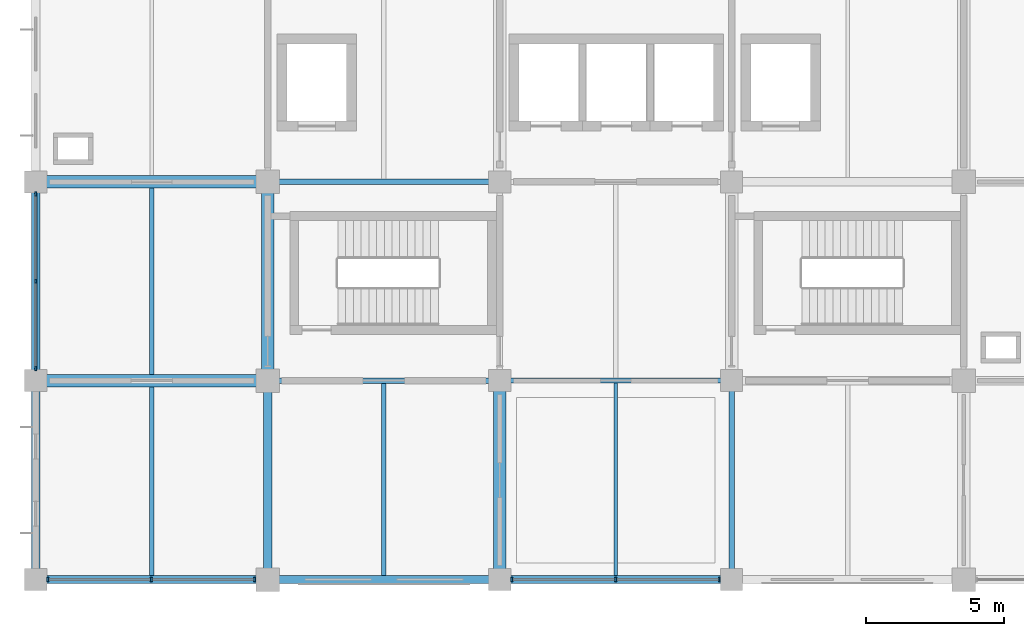
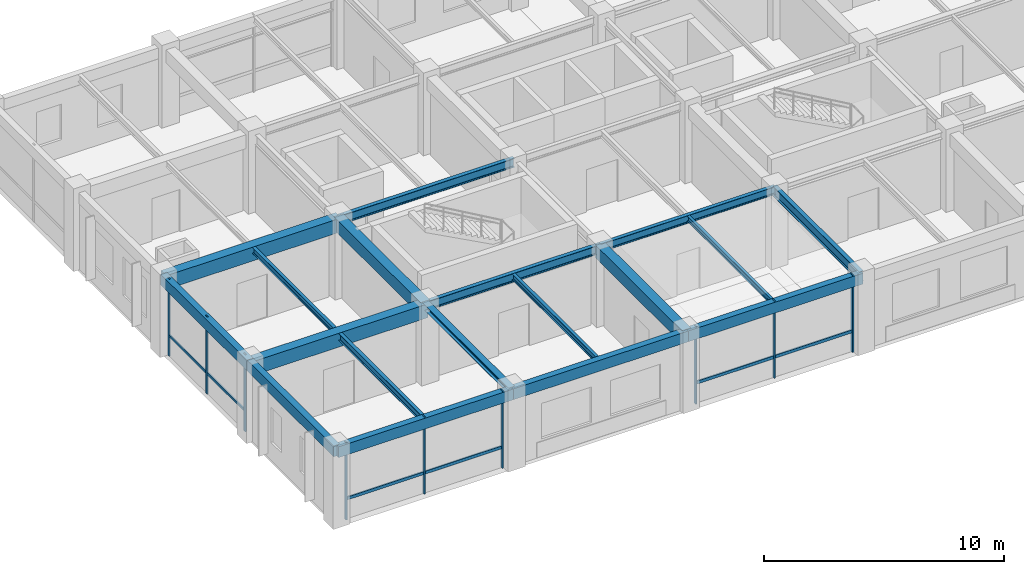
# One storey, part 2 of 13: 18 beams, 15 members, 3 elements without a shape of their own.
"""IFC4 building model written with IfcOpenShell, lengths in metres."""

import ifcopenshell
import ifcopenshell.guid

model = None  # the IFC model being written
_history = None  # IfcOwnerHistory: only IFC2X3 demands one
_inside = {}  # id of a spatial element -> (the spatial element, [elements in it])
_under = {}  # id of a project, library or spatial element -> (it, [spatial elements below it])
_declared = {}  # id of a project -> (the project, [libraries it declares])
_typed = {}  # id of a type object -> (the type object, [elements of that type])
_made_of = {}  # id of a material, layer set ... -> (it, [elements and type objects made of it])


def new_model(schema):
    """Start an empty IFC model of exactly this schema.

    Asked for "IFC4X3", IfcOpenShell would pick the latest addendum, in which some entities
    have other attributes; the version numbers below select the first issue.
    IFC2X3 requires an IfcOwnerHistory on every rooted entity: one is made here for all.
    """
    global model, _history
    if schema == "IFC4X3":
        model = ifcopenshell.file(schema_version=(4, 3, 0, 0))
    else:
        model = ifcopenshell.file(schema=schema)
    _inside.clear()
    _under.clear()
    _declared.clear()
    _typed.clear()
    _made_of.clear()
    _history = None
    if model.schema == "IFC2X3":
        org = make("IfcOrganization", Name="unknown")
        user = make(
            "IfcPersonAndOrganization",
            ThePerson=make("IfcPerson", FamilyName="unknown"),
            TheOrganization=org,
        )
        app = make(
            "IfcApplication",
            ApplicationDeveloper=org,
            Version="unknown",
            ApplicationFullName="unknown",
            ApplicationIdentifier="unknown",
        )
        _history = make(
            "IfcOwnerHistory",
            OwningUser=user,
            OwningApplication=app,
            ChangeAction="ADDED",
            CreationDate=0,
        )
    return model


def make(cls, **values):
    """One entity of the class cls with the attributes given. An attribute that is None is left unset."""
    return model.create_entity(
        cls, **{name: value for name, value in values.items() if value is not None}
    )


def rooted(cls, **values):
    """An entity with a GlobalId (a new one), such as an element, a storey or a relation."""
    return make(cls, GlobalId=ifcopenshell.guid.new(), OwnerHistory=_history, **values)


def si_unit(unit_type, name, prefix=None):
    """IfcSIUnit, for example si_unit("LENGTHUNIT", "METRE", prefix="MILLI")."""
    return make("IfcSIUnit", UnitType=unit_type, Prefix=prefix, Name=name)


def derived_unit(unit_type, elements):
    """IfcDerivedUnit: a product of units, each with its exponent."""
    return make(
        "IfcDerivedUnit",
        Elements=[
            make("IfcDerivedUnitElement", Unit=unit, Exponent=power)
            for unit, power in elements
        ],
        UnitType=unit_type,
    )


def assignment(units):
    """IfcUnitAssignment: the units of a project."""
    return None if units is None else make("IfcUnitAssignment", Units=units)


def point(xyz):
    """IfcCartesianPoint."""
    return None if xyz is None else make("IfcCartesianPoint", Coordinates=xyz)


def direction(xyz):
    """IfcDirection."""
    return None if xyz is None else make("IfcDirection", DirectionRatios=xyz)


def frame(location, z_axis=None, x_axis=None):
    """IfcAxis2Placement3D, a coordinate frame: its origin and axes. An axis left out is left unset."""
    return make(
        "IfcAxis2Placement3D",
        Location=point(location),
        Axis=direction(z_axis),
        RefDirection=direction(x_axis),
    )


def frame_2d(location, x_axis=None):
    """IfcAxis2Placement2D, a coordinate frame in the plane: its origin and x axis."""
    return make(
        "IfcAxis2Placement2D", Location=point(location), RefDirection=direction(x_axis)
    )


def origin():
    """The frame at (0, 0, 0) with its axes left unset."""
    return frame((0.0, 0.0, 0.0))


def origin_2d():
    """The frame at (0, 0) in the plane with its x axis left unset."""
    return frame_2d((0.0, 0.0))


def place(relative_to, where):
    """IfcLocalPlacement: puts the frame where relative to a parent placement (None: the world)."""
    return make(
        "IfcLocalPlacement", PlacementRelTo=relative_to, RelativePlacement=where
    )


def context(
    kind, dimensions, precision=None, world=None, true_north=None, identifier=None
):
    """IfcGeometricRepresentationContext, for example the 3D "Model" context."""
    return make(
        "IfcGeometricRepresentationContext",
        ContextIdentifier=identifier,
        ContextType=kind,
        CoordinateSpaceDimension=dimensions,
        Precision=precision,
        WorldCoordinateSystem=world,
        TrueNorth=true_north,
    )


def subcontext(parent, identifier, kind, view, scale=None):
    """IfcGeometricRepresentationSubContext, for example "Body" below "Model"."""
    return make(
        "IfcGeometricRepresentationSubContext",
        ContextIdentifier=identifier,
        ContextType=kind,
        ParentContext=parent,
        TargetScale=scale,
        TargetView=view,
    )


def project(units=None, contexts=None):
    """IfcProject with its units and contexts."""
    return rooted(
        "IfcProject",
        Name="project",
        RepresentationContexts=contexts,
        UnitsInContext=assignment(units),
    )


def spatial(cls, under=None, at=None, **own):
    """A site, building, storey or space (cls), placed at a placement, below another one or the project."""
    s = rooted(cls, ObjectPlacement=at, **own)
    if under is not None:
        _under.setdefault(under.id(), (under, []))[1].append(s)
    return s


def profile(cls, at=None, kind="AREA", **sizes):
    """A parametric profile (cls). Its sizes go by their IFC names, for example OverallWidth=200.0."""
    return make(cls, ProfileType=kind, Position=at, **sizes)


def rectangle(**sizes):
    """IfcRectangleProfileDef."""
    return profile("IfcRectangleProfileDef", **sizes)


def i_section(**sizes):
    """IfcIShapeProfileDef."""
    return profile("IfcIShapeProfileDef", **sizes)


def extrude(swept, where, along, depth):
    """IfcExtrudedAreaSolid: the profile swept, set in the frame where, extruded along a direction by depth."""
    return make(
        "IfcExtrudedAreaSolid",
        SweptArea=swept,
        Position=where,
        ExtrudedDirection=direction(along),
        Depth=depth,
    )


def shape(context_of_items, identifier, shape_type, items):
    """IfcShapeRepresentation: the items that make up one representation, for example the "Body"."""
    return make(
        "IfcShapeRepresentation",
        ContextOfItems=context_of_items,
        RepresentationIdentifier=identifier,
        RepresentationType=shape_type,
        Items=items,
    )


def material(Name=None, Category=None):
    """IfcMaterial."""
    return make("IfcMaterial", Name=Name, Category=Category)


def material_profile(
    of_material, cross_section, Name=None, Category=None, Priority=None
):
    """IfcMaterialProfile: a cross section and its material."""
    return make(
        "IfcMaterialProfile",
        Name=Name,
        Material=of_material,
        Profile=cross_section,
        Priority=Priority,
        Category=Category,
    )


def profile_set(profiles, Name=None, composite=None):
    """IfcMaterialProfileSet."""
    return make(
        "IfcMaterialProfileSet",
        Name=Name,
        MaterialProfiles=profiles,
        CompositeProfile=composite,
    )


def made_of(thing, what):
    """Note that an element or type object is made of a material, layer set ...; save() writes the relation."""
    if what is not None:
        _made_of.setdefault(what.id(), (what, []))[1].append(thing)
    return thing


def type_object(cls, material=None, **own):
    """A type object (cls), such as IfcWallType, which elements share."""
    return made_of(rooted(cls, **own), material)


def element(
    cls,
    number,
    at=None,
    inside=None,
    cuts=None,
    type_object=None,
    material=None,
    context=None,
    identifier="Body",
    shape_type=None,
    held_by="IfcProductDefinitionShape",
    body=None,
    shapes=None,
    **own,
):
    """One element of the class cls, such as IfcWall. Its Tag is "e" and its number.

    at: its placement. inside: the storey or other place that contains it. cuts: it is an
    opening in that element (IfcRelVoidsElement). A single representation is given by context,
    identifier, shape_type and body (its items); several are given by shapes. held_by: the class
    of the entity that holds the representations. save() writes the other relations.
    """
    e = rooted(cls, Tag="e%d" % number, ObjectPlacement=at, **own)
    if body is not None:
        shapes = [shape(context, identifier, shape_type, body)]
    if shapes is not None:
        e.Representation = make(held_by, Representations=shapes)
    if inside is not None:
        _inside.setdefault(inside.id(), (inside, []))[1].append(e)
    if cuts is not None:
        rooted(
            "IfcRelVoidsElement", RelatingBuildingElement=cuts, RelatedOpeningElement=e
        )
    if type_object is not None:
        _typed.setdefault(type_object.id(), (type_object, []))[1].append(e)
    return made_of(e, material)


def aggregate(whole, parts):
    """IfcRelAggregates: a whole, such as a stair, and the parts it consists of."""
    return rooted("IfcRelAggregates", RelatingObject=whole, RelatedObjects=parts)


def save(model, path):
    """Write the relations noted so far, then the file.

    IfcRelAggregates (storeys below a building ...), IfcRelContainedInSpatialStructure (elements
    in a storey), IfcRelDefinesByType, IfcRelAssociatesMaterial and IfcRelDeclares: one each for
    every whole, place, type object, material and project.
    """
    for whole, parts in _under.values():
        aggregate(whole, parts)
    for where, things in _inside.values():
        rooted(
            "IfcRelContainedInSpatialStructure",
            RelatedElements=things,
            RelatingStructure=where,
        )
    for kind, things in _typed.values():
        rooted("IfcRelDefinesByType", RelatedObjects=things, RelatingType=kind)
    for what, things in _made_of.values():
        rooted("IfcRelAssociatesMaterial", RelatedObjects=things, RelatingMaterial=what)
    for by, libraries in _declared.values():
        rooted("IfcRelDeclares", RelatingContext=by, RelatedDefinitions=libraries)
    model.write(path)


model = new_model("IFC4")

# Units and contexts
model_context = context("Model", 3, precision=1e-05, world=origin(), true_north=direction((0.0, 1.0)))
body_context = subcontext(model_context, "Body", "Model", "MODEL_VIEW")
ifc_project = project(units=[si_unit("LENGTHUNIT", "METRE"), si_unit("AREAUNIT", "SQUARE_METRE"), si_unit("VOLUMEUNIT", "CUBIC_METRE"), si_unit("PLANEANGLEUNIT", "RADIAN"), si_unit("MASSUNIT", "GRAM", prefix="KILO"), derived_unit("THERMALTRANSMITTANCEUNIT", [(si_unit("MASSUNIT", "GRAM", prefix="KILO"), 1), (si_unit("TIMEUNIT", "SECOND"), -3), (si_unit("THERMODYNAMICTEMPERATUREUNIT", "KELVIN"), -1)])], contexts=[model_context])

# Site, building, storey
site_placement = place(None, origin())
site = spatial("IfcSite", under=ifc_project, at=site_placement, CompositionType="ELEMENT")
building_placement = place(site_placement, origin())
building = spatial("IfcBuilding", under=site, at=building_placement, Name="Veldstrom Oceanarium and Marine Research Institute", CompositionType="ELEMENT")
storey_placement = place(building_placement, frame((0.0, 0.0, 27.0)))
storey = spatial("IfcBuildingStorey", under=building, at=storey_placement, Name="L05", CompositionType="ELEMENT", Elevation=27.0)

# Curtain wall, members
ifc_material_1 = material(Name="Anodised Aluminium Framing", Category="aluminium")
curtain_wall_type_1 = type_object("IfcCurtainWallType", Name="ARC-CW-CW04", PredefinedType="USERDEFINED", material=ifc_material_1)
curtain_wall_1_placement = place(storey_placement, origin())
curtain_wall_1 = element("IfcCurtainWall", 1, at=curtain_wall_1_placement, inside=storey, type_object=curtain_wall_type_1, Name="Curtain Wall CW04 CW-L05-090", ObjectType="Curtain wall", PredefinedType="USERDEFINED")
ifc_material_2 = material(Name="Anodised Aluminium Framing", Category="aluminium")
ifc_material_profile_1 = material_profile(ifc_material_2, rectangle(XDim=0.06494140625, YDim=0.14990234375, at=origin_2d()), Name="ALU-MUL-65x150")
ifc_profile_set_1 = profile_set([ifc_material_profile_1], Name="Anodised Aluminium Framing")
member_type_1 = type_object("IfcMemberType", Name="ARC-MUL-ML2", PredefinedType="MULLION", material=ifc_profile_set_1)
member_1_placement = place(storey_placement, frame((67.639892578125, 43.199951171875, 0.0), z_axis=(0.0, 0.0, 1.0), x_axis=(1.0, 0.0, 0.0)))
member_1 = element("IfcMember", 2, at=member_1_placement, type_object=member_type_1, Name="Curtain Wall Mullion CW-L05-090-MUL-1", PredefinedType="MULLION", context=body_context, shape_type="SweptSolid", body=[
    extrude(rectangle(XDim=0.06494140625, YDim=0.14990234375, at=origin_2d()), origin(), (0.0, 0.0, 1.0), 3.919921875),
])
member_2_placement = place(storey_placement, frame((71.387451171875, 43.199951171875, 0.0), z_axis=(0.0, 0.0, 1.0), x_axis=(1.0, 0.0, 0.0)))
member_2 = element("IfcMember", 3, at=member_2_placement, type_object=member_type_1, Name="Curtain Wall Mullion CW-L05-090-MUL-2", PredefinedType="MULLION", context=body_context, shape_type="SweptSolid", body=[
    extrude(rectangle(XDim=0.06494140625, YDim=0.14990234375, at=origin_2d()), origin(), (0.0, 0.0, 1.0), 3.919921875),
])
member_3_placement = place(storey_placement, frame((75.135009765625, 43.199951171875, 0.0), z_axis=(0.0, 0.0, 1.0), x_axis=(1.0, 0.0, 0.0)))
member_3 = element("IfcMember", 4, at=member_3_placement, type_object=member_type_1, Name="Curtain Wall Mullion CW-L05-090-MUL-3", PredefinedType="MULLION", context=body_context, shape_type="SweptSolid", body=[
    extrude(rectangle(XDim=0.06494140625, YDim=0.14990234375, at=origin_2d()), origin(), (0.0, 0.0, 1.0), 3.919921875),
])

ifc_material_3 = material(Name="Anodised Aluminium Framing", Category="aluminium")
curtain_wall_type_2 = type_object("IfcCurtainWallType", Name="ARC-CW-CW08", PredefinedType="USERDEFINED", material=ifc_material_3)
curtain_wall_2_placement = place(storey_placement, origin())
curtain_wall_2 = element("IfcCurtainWall", 5, at=curtain_wall_2_placement, inside=storey, type_object=curtain_wall_type_2, Name="Curtain Wall CW08 CW-L05-091", ObjectType="Curtain wall", PredefinedType="USERDEFINED")
member_4_placement = place(storey_placement, frame((67.199951171875, 50.840087890625, 0.0), z_axis=(0.0, 0.0, 1.0), x_axis=(1.0, 0.0, 0.0)))
member_4 = element("IfcMember", 6, at=member_4_placement, type_object=member_type_1, Name="Curtain Wall Mullion CW-L05-091-MUL-1", PredefinedType="MULLION", context=body_context, shape_type="SweptSolid", body=[
    extrude(rectangle(XDim=0.06494140625, YDim=0.14990234375, at=origin_2d()), origin(), (0.0, 0.0, 1.0), 3.919921875),
])
member_5_placement = place(storey_placement, frame((67.199951171875, 54.0, 0.0), z_axis=(0.0, 0.0, 1.0), x_axis=(1.0, 0.0, 0.0)))
member_5 = element("IfcMember", 7, at=member_5_placement, type_object=member_type_1, Name="Curtain Wall Mullion CW-L05-091-MUL-2", PredefinedType="MULLION", context=body_context, shape_type="SweptSolid", body=[
    extrude(rectangle(XDim=0.06494140625, YDim=0.14990234375, at=origin_2d()), origin(), (0.0, 0.0, 1.0), 3.919921875),
])
member_6_placement = place(storey_placement, frame((67.199951171875, 57.159912109375, 0.0), z_axis=(0.0, 0.0, 1.0), x_axis=(1.0, 0.0, 0.0)))
member_6 = element("IfcMember", 8, at=member_6_placement, type_object=member_type_1, Name="Curtain Wall Mullion CW-L05-091-MUL-3", PredefinedType="MULLION", context=body_context, shape_type="SweptSolid", body=[
    extrude(rectangle(XDim=0.06494140625, YDim=0.14990234375, at=origin_2d()), origin(), (0.0, 0.0, 1.0), 3.919921875),
])

curtain_wall_3_placement = place(storey_placement, origin())
curtain_wall_3 = element("IfcCurtainWall", 9, at=curtain_wall_3_placement, inside=storey, type_object=curtain_wall_type_1, Name="Curtain Wall CW04 CW-L05-094", ObjectType="Curtain wall", PredefinedType="USERDEFINED")
member_7_placement = place(storey_placement, frame((84.43994140625, 43.199951171875, 0.0), z_axis=(0.0, 0.0, 1.0), x_axis=(1.0, 0.0, 0.0)))
member_7 = element("IfcMember", 10, at=member_7_placement, type_object=member_type_1, Name="Curtain Wall Mullion CW-L05-094-MUL-1", PredefinedType="MULLION", context=body_context, shape_type="SweptSolid", body=[
    extrude(rectangle(XDim=0.06494140625, YDim=0.14990234375, at=origin_2d()), origin(), (0.0, 0.0, 1.0), 3.919921875),
])
member_8_placement = place(storey_placement, frame((88.199951171875, 43.199951171875, 0.0), z_axis=(0.0, 0.0, 1.0), x_axis=(1.0, 0.0, 0.0)))
member_8 = element("IfcMember", 11, at=member_8_placement, type_object=member_type_1, Name="Curtain Wall Mullion CW-L05-094-MUL-2", PredefinedType="MULLION", context=body_context, shape_type="SweptSolid", body=[
    extrude(rectangle(XDim=0.06494140625, YDim=0.14990234375, at=origin_2d()), origin(), (0.0, 0.0, 1.0), 3.919921875),
])
member_9_placement = place(storey_placement, frame((91.9599609375, 43.199951171875, 0.0), z_axis=(0.0, 0.0, 1.0), x_axis=(1.0, 0.0, 0.0)))
member_9 = element("IfcMember", 12, at=member_9_placement, type_object=member_type_1, Name="Curtain Wall Mullion CW-L05-094-MUL-3", PredefinedType="MULLION", context=body_context, shape_type="SweptSolid", body=[
    extrude(rectangle(XDim=0.06494140625, YDim=0.14990234375, at=origin_2d()), origin(), (0.0, 0.0, 1.0), 3.919921875),
])

# Member
ifc_material_4 = material(Name="Anodised Aluminium Framing", Category="aluminium")
ifc_material_profile_2 = material_profile(ifc_material_4, rectangle(XDim=0.074951171875, YDim=0.14990234375, at=origin_2d()), Name="ALU-TRN-75x150")
ifc_profile_set_2 = profile_set([ifc_material_profile_2], Name="Anodised Aluminium Framing")
member_type_2 = type_object("IfcMemberType", Name="ARC-TRN-TR1", PredefinedType="USERDEFINED", material=ifc_profile_set_2)
member_10_placement = place(storey_placement, frame((67.679931640625, 43.199951171875, 1.050048828125), z_axis=(1.0, 0.0, 0.0), x_axis=(0.0, 1.0, 0.0)))
member_10 = element("IfcMember", 13, at=member_10_placement, type_object=member_type_2, Name="Curtain Wall Transom CW-L05-090-TRN-1", ObjectType="Transom", PredefinedType="USERDEFINED", context=body_context, shape_type="SweptSolid", body=[
    extrude(rectangle(XDim=0.074951171875, YDim=0.14990234375, at=origin_2d()), origin(), (0.0, 0.0, 1.0), 3.66748046875),
])

member_11_placement = place(storey_placement, frame((71.427490234375, 43.199951171875, 1.050048828125), z_axis=(1.0, 0.0, 0.0), x_axis=(0.0, 1.0, 0.0)))
member_11 = element("IfcMember", 14, at=member_11_placement, type_object=member_type_2, Name="Curtain Wall Transom CW-L05-090-TRN-2", ObjectType="Transom", PredefinedType="USERDEFINED", context=body_context, shape_type="SweptSolid", body=[
    extrude(rectangle(XDim=0.074951171875, YDim=0.14990234375, at=origin_2d()), origin(), (0.0, 0.0, 1.0), 3.66748046875),
])

aggregate(curtain_wall_1, [member_1, member_2, member_3, member_10, member_11])

member_12_placement = place(storey_placement, frame((84.47998046875, 43.199951171875, 1.050048828125), z_axis=(1.0, 0.0, 0.0), x_axis=(0.0, 1.0, 0.0)))
member_12 = element("IfcMember", 15, at=member_12_placement, type_object=member_type_2, Name="Curtain Wall Transom CW-L05-094-TRN-1", ObjectType="Transom", PredefinedType="USERDEFINED", context=body_context, shape_type="SweptSolid", body=[
    extrude(rectangle(XDim=0.074951171875, YDim=0.14990234375, at=origin_2d()), origin(), (0.0, 0.0, 1.0), 3.679931640625),
])

member_13_placement = place(storey_placement, frame((88.239990234375, 43.199951171875, 1.050048828125), z_axis=(1.0, 0.0, 0.0), x_axis=(0.0, 1.0, 0.0)))
member_13 = element("IfcMember", 16, at=member_13_placement, type_object=member_type_2, Name="Curtain Wall Transom CW-L05-094-TRN-2", ObjectType="Transom", PredefinedType="USERDEFINED", context=body_context, shape_type="SweptSolid", body=[
    extrude(rectangle(XDim=0.074951171875, YDim=0.14990234375, at=origin_2d()), origin(), (0.0, 0.0, 1.0), 3.679931640625),
])

aggregate(curtain_wall_3, [member_7, member_8, member_9, member_12, member_13])

ifc_material_5 = material(Name="Anodised Aluminium Framing", Category="aluminium")
ifc_material_profile_3 = material_profile(ifc_material_5, rectangle(XDim=0.06494140625, YDim=0.1201171875, at=origin_2d()), Name="ALU-TRN-65x120")
ifc_profile_set_3 = profile_set([ifc_material_profile_3], Name="Anodised Aluminium Framing")
member_type_3 = type_object("IfcMemberType", Name="ARC-TRN-TR2", PredefinedType="USERDEFINED", material=ifc_profile_set_3)
member_14_placement = place(storey_placement, frame((67.199951171875, 50.8798828125, 1.050048828125), z_axis=(0.0, 1.0, 0.0), x_axis=(-1.0, 0.0, 0.0)))
member_14 = element("IfcMember", 17, at=member_14_placement, type_object=member_type_3, Name="Curtain Wall Transom CW-L05-091-TRN-1", ObjectType="Transom", PredefinedType="USERDEFINED", context=body_context, shape_type="SweptSolid", body=[
    extrude(rectangle(XDim=0.06494140625, YDim=0.1201171875, at=origin_2d()), origin(), (0.0, 0.0, 1.0), 3.080078125),
])

member_15_placement = place(storey_placement, frame((67.199951171875, 54.0400390625, 1.050048828125), z_axis=(0.0, 1.0, 0.0), x_axis=(-1.0, 0.0, 0.0)))
member_15 = element("IfcMember", 18, at=member_15_placement, type_object=member_type_3, Name="Curtain Wall Transom CW-L05-091-TRN-2", ObjectType="Transom", PredefinedType="USERDEFINED", context=body_context, shape_type="SweptSolid", body=[
    extrude(rectangle(XDim=0.06494140625, YDim=0.1201171875, at=origin_2d()), origin(), (0.0, 0.0, 1.0), 3.080078125),
])

aggregate(curtain_wall_2, [member_4, member_5, member_6, member_14, member_15])

# Beams
ifc_material_6 = material(Name="Concrete C40/50", Category="concrete")
ifc_material_profile_4 = material_profile(ifc_material_6, rectangle(XDim=0.449951171875, YDim=0.699951171875, at=origin_2d()), Name="RC-BM-450x700")
ifc_profile_set_4 = profile_set([ifc_material_profile_4], Name="Concrete C40/50")
beam_type_1 = type_object("IfcBeamType", Name="STR-BM-B04", PredefinedType="BEAM", material=ifc_profile_set_4)
for number, where, z_axis, x_axis, name in (
    (19, (67.199951171875, 50.39990234375, 3.56494140625), (1.0, 0.0, 0.0), (0.0, 1.0, 0.0), "Primary Beam B04 L05-2175"),
    (20, (67.199951171875, 57.60009765625, 3.56494140625), (1.0, 0.0, 0.0), (0.0, 1.0, 0.0), "Primary Beam B04 L05-2176"),
):
    element("IfcBeam", number, at=place(storey_placement, frame(where, z_axis=z_axis, x_axis=x_axis)), inside=storey, type_object=beam_type_1, Name=name, PredefinedType="BEAM", context=body_context, shape_type="SweptSolid", body=[
        extrude(rectangle(XDim=0.449951171875, YDim=0.699951171875, at=origin_2d()), origin(), (0.0, 0.0, 1.0), 8.400146484375),
    ])
ifc_material_7 = material(Name="Concrete C40/50", Category="concrete")
ifc_material_profile_5 = material_profile(ifc_material_7, rectangle(XDim=0.449951171875, YDim=0.64990234375, at=origin_2d()), Name="RC-BM-450x650")
ifc_profile_set_5 = profile_set([ifc_material_profile_5], Name="Concrete C40/50")
beam_type_2 = type_object("IfcBeamType", Name="STR-BM-B05", PredefinedType="BEAM", material=ifc_profile_set_5)
beam_1_placement = place(storey_placement, frame((75.60009765625, 50.39990234375, 3.590087890625), z_axis=(0.0, 1.0, 0.0), x_axis=(-1.0, 0.0, 0.0)))
element("IfcBeam", 21, at=beam_1_placement, inside=storey, type_object=beam_type_2, Name="Primary Beam B05 L05-2209", PredefinedType="BEAM", context=body_context, shape_type="SweptSolid", body=[
    extrude(rectangle(XDim=0.449951171875, YDim=0.64990234375, at=origin_2d()), origin(), (0.0, 0.0, 1.0), 7.2001953125),
])
beam_2_placement = place(storey_placement, frame((84.0, 43.199951171875, 3.590087890625), z_axis=(0.0, 1.0, 0.0), x_axis=(-1.0, 0.0, 0.0)))
element("IfcBeam", 22, at=beam_2_placement, inside=storey, type_object=beam_type_2, Name="Primary Beam B05 L05-2212", PredefinedType="BEAM", context=body_context, shape_type="SweptSolid", body=[
    extrude(rectangle(XDim=0.449951171875, YDim=0.64990234375, at=origin_2d()), origin(), (0.0, 0.0, 1.0), 7.199951171875),
])
ifc_material_8 = material(Name="Steel S355JR", Category="steel")
ifc_material_profile_6 = material_profile(ifc_material_8, i_section(OverallWidth=0.300048828125, OverallDepth=0.2900390625, WebThickness=0.008544921875, FlangeThickness=0.013916015625, FilletRadius=0.027099609375, at=origin_2d()), Name="HEA 300")
ifc_profile_set_6 = profile_set([ifc_material_profile_6], Name="Steel S355JR")
beam_type_3 = type_object("IfcBeamType", Name="STR-BM-SB10", PredefinedType="BEAM", material=ifc_profile_set_6)
beam_3_placement = place(storey_placement, frame((75.60009765625, 43.199951171875, 3.77001953125), z_axis=(0.0, 1.0, 0.0), x_axis=(-1.0, 0.0, 0.0)))
element("IfcBeam", 23, at=beam_3_placement, inside=storey, type_object=beam_type_3, Name="Steel Tie Beam SB10 L05-2208", PredefinedType="BEAM", context=body_context, shape_type="SweptSolid", body=[
    extrude(i_section(OverallWidth=0.300048828125, OverallDepth=0.2900390625, WebThickness=0.008544921875, FlangeThickness=0.013916015625, FilletRadius=0.027099609375, at=origin_2d()), origin(), (0.0, 0.0, 1.0), 7.199951171875),
])
ifc_material_9 = material(Name="Steel S355JR", Category="steel")
ifc_material_profile_7 = material_profile(ifc_material_9, i_section(OverallWidth=0.199951171875, OverallDepth=0.5, WebThickness=0.01025390625, FlangeThickness=0.01611328125, FilletRadius=0.02099609375, at=origin_2d()), Name="IPE 500")
ifc_profile_set_7 = profile_set([ifc_material_profile_7], Name="Steel S355JR")
beam_type_4 = type_object("IfcBeamType", Name="STR-BM-SB6", PredefinedType="BEAM", material=ifc_profile_set_7)
beam_4_placement = place(storey_placement, frame((92.39990234375, 43.199951171875, 3.6650390625), z_axis=(0.0, 1.0, 0.0), x_axis=(-1.0, 0.0, 0.0)))
element("IfcBeam", 24, at=beam_4_placement, inside=storey, type_object=beam_type_4, Name="Steel Tie Beam SB6 L05-2216", PredefinedType="BEAM", context=body_context, shape_type="SweptSolid", body=[
    extrude(i_section(OverallWidth=0.199951171875, OverallDepth=0.5, WebThickness=0.01025390625, FlangeThickness=0.01611328125, FilletRadius=0.02099609375, at=origin_2d()), origin(), (0.0, 0.0, 1.0), 7.199951171875),
])
ifc_material_10 = material(Name="Steel S355JR", Category="steel")
ifc_material_profile_8 = material_profile(ifc_material_10, i_section(OverallWidth=0.18994140625, OverallDepth=0.449951171875, WebThickness=0.009521484375, FlangeThickness=0.0146484375, FilletRadius=0.02099609375, at=origin_2d()), Name="IPE 450")
ifc_profile_set_8 = profile_set([ifc_material_profile_8], Name="Steel S355JR")
beam_type_5 = type_object("IfcBeamType", Name="STR-BM-SB7", PredefinedType="BEAM", material=ifc_profile_set_8)
for number, where, z_axis, x_axis, name in (
    (25, (75.60009765625, 50.39990234375, 3.68994140625), (1.0, 0.0, 0.0), (0.0, 1.0, 0.0), "Steel Floor Girder SB7 L05-2180"),
    (26, (75.60009765625, 57.60009765625, 3.68994140625), (1.0, 0.0, 0.0), (0.0, 1.0, 0.0), "Steel Floor Girder SB7 L05-2181"),
):
    element("IfcBeam", number, at=place(storey_placement, frame(where, z_axis=z_axis, x_axis=x_axis)), inside=storey, type_object=beam_type_5, Name=name, PredefinedType="BEAM", context=body_context, shape_type="SweptSolid", body=[
        extrude(i_section(OverallWidth=0.18994140625, OverallDepth=0.449951171875, WebThickness=0.009521484375, FlangeThickness=0.0146484375, FilletRadius=0.02099609375, at=origin_2d()), origin(), (0.0, 0.0, 1.0), 8.39990234375),
    ])
ifc_material_11 = material(Name="Steel S355JR", Category="steel")
ifc_material_profile_9 = material_profile(ifc_material_11, i_section(OverallWidth=0.179931640625, OverallDepth=0.39990234375, WebThickness=0.008544921875, FlangeThickness=0.013427734375, FilletRadius=0.02099609375, at=origin_2d()), Name="IPE 400")
ifc_profile_set_9 = profile_set([ifc_material_profile_9], Name="Steel S355JR")
beam_type_6 = type_object("IfcBeamType", Name="STR-BM-SB8", PredefinedType="BEAM", material=ifc_profile_set_9)
beam_5_placement = place(storey_placement, frame((84.0, 50.39990234375, 3.715087890625), z_axis=(1.0, 0.0, 0.0), x_axis=(0.0, 1.0, 0.0)))
element("IfcBeam", 27, at=beam_5_placement, inside=storey, type_object=beam_type_6, Name="Steel Floor Girder SB8 L05-2185", PredefinedType="BEAM", context=body_context, shape_type="SweptSolid", body=[
    extrude(i_section(OverallWidth=0.179931640625, OverallDepth=0.39990234375, WebThickness=0.008544921875, FlangeThickness=0.013427734375, FilletRadius=0.02099609375, at=origin_2d()), origin(), (0.0, 0.0, 1.0), 8.39990234375),
])
ifc_material_12 = material(Name="Steel S355JR", Category="steel")
ifc_material_profile_10 = material_profile(ifc_material_12, i_section(OverallWidth=0.169921875, OverallDepth=0.360107421875, WebThickness=0.008056640625, FlangeThickness=0.0126953125, FilletRadius=0.01806640625, at=origin_2d()), Name="IPE 360")
ifc_profile_set_10 = profile_set([ifc_material_profile_10], Name="Steel S355JR")
beam_type_7 = type_object("IfcBeamType", Name="STR-JST-SJ1", PredefinedType="JOIST", material=ifc_profile_set_10)
beam_6_placement = place(storey_placement, frame((71.39990234375, 43.35009765625, 3.735107421875), z_axis=(0.0, 1.0, 0.0), x_axis=(-1.0, 0.0, 0.0)))
element("IfcBeam", 28, at=beam_6_placement, inside=storey, type_object=beam_type_7, Name="Secondary Joist SJ1 L05-2232", PredefinedType="JOIST", context=body_context, shape_type="SweptSolid", body=[
    extrude(i_section(OverallWidth=0.169921875, OverallDepth=0.360107421875, WebThickness=0.008056640625, FlangeThickness=0.0126953125, FilletRadius=0.01806640625, at=origin_2d()), origin(), (0.0, 0.0, 1.0), 6.824951171875),
])
ifc_material_13 = material(Name="Steel S355JR", Category="steel")
ifc_material_profile_11 = material_profile(ifc_material_13, i_section(OverallWidth=0.14990234375, OverallDepth=0.300048828125, WebThickness=0.007080078125, FlangeThickness=0.0107421875, FilletRadius=0.014892578125, at=origin_2d()), Name="IPE 300")
ifc_profile_set_11 = profile_set([ifc_material_profile_11], Name="Steel S355JR")
beam_type_8 = type_object("IfcBeamType", Name="STR-JST-SJ2", PredefinedType="JOIST", material=ifc_profile_set_11)
beam_7_placement = place(storey_placement, frame((71.39990234375, 50.625, 3.764892578125), z_axis=(0.0, 1.0, 0.0), x_axis=(-1.0, 0.0, 0.0)))
element("IfcBeam", 29, at=beam_7_placement, inside=storey, type_object=beam_type_8, Name="Secondary Joist SJ2 L05-2233", PredefinedType="JOIST", context=body_context, shape_type="SweptSolid", body=[
    extrude(i_section(OverallWidth=0.14990234375, OverallDepth=0.300048828125, WebThickness=0.007080078125, FlangeThickness=0.0107421875, FilletRadius=0.014892578125, at=origin_2d()), origin(), (0.0, 0.0, 1.0), 6.75),
])
beam_8_placement = place(storey_placement, frame((79.800048828125, 43.35009765625, 3.764892578125), z_axis=(0.0, 1.0, 0.0), x_axis=(-1.0, 0.0, 0.0)))
element("IfcBeam", 30, at=beam_8_placement, inside=storey, type_object=beam_type_8, Name="Secondary Joist SJ2 L05-2236", PredefinedType="JOIST", context=body_context, shape_type="SweptSolid", body=[
    extrude(i_section(OverallWidth=0.14990234375, OverallDepth=0.300048828125, WebThickness=0.007080078125, FlangeThickness=0.0107421875, FilletRadius=0.014892578125, at=origin_2d()), origin(), (0.0, 0.0, 1.0), 6.954833984375),
])
ifc_material_14 = material(Name="Steel S355JR", Category="steel")
ifc_material_profile_12 = material_profile(ifc_material_14, i_section(OverallWidth=0.135009765625, OverallDepth=0.27001953125, WebThickness=0.006591796875, FlangeThickness=0.01025390625, FilletRadius=0.014892578125, at=origin_2d()), Name="IPE 270")
ifc_profile_set_12 = profile_set([ifc_material_profile_12], Name="Steel S355JR")
beam_type_9 = type_object("IfcBeamType", Name="STR-JST-SJ3", PredefinedType="JOIST", material=ifc_profile_set_12)
beam_9_placement = place(storey_placement, frame((88.199951171875, 43.35009765625, 3.780029296875), z_axis=(0.0, 1.0, 0.0), x_axis=(-1.0, 0.0, 0.0)))
element("IfcBeam", 31, at=beam_9_placement, inside=storey, type_object=beam_type_9, Name="Secondary Joist SJ3 L05-2239", PredefinedType="JOIST", context=body_context, shape_type="SweptSolid", body=[
    extrude(i_section(OverallWidth=0.135009765625, OverallDepth=0.27001953125, WebThickness=0.006591796875, FlangeThickness=0.01025390625, FilletRadius=0.014892578125, at=origin_2d()), origin(), (0.0, 0.0, 1.0), 6.9599609375),
])
ifc_material_15 = material(Name="Concrete C40/50", Category="concrete")
ifc_material_profile_13 = material_profile(ifc_material_15, rectangle(XDim=0.300048828125, YDim=0.550048828125, at=origin_2d()), Name="RC-SPN-300x550")
ifc_profile_set_13 = profile_set([ifc_material_profile_13], Name="Concrete C40/50")
beam_type_10 = type_object("IfcBeamType", Name="STR-SPN-SP2", PredefinedType="SPANDREL", material=ifc_profile_set_13)
beam_10_placement = place(storey_placement, frame((67.199951171875, 43.199951171875, 3.639892578125), z_axis=(1.0, 0.0, 0.0), x_axis=(0.0, 1.0, 0.0)))
element("IfcBeam", 32, at=beam_10_placement, inside=storey, type_object=beam_type_10, Name="Perimeter Spandrel SPB2 L05-2174", PredefinedType="SPANDREL", context=body_context, shape_type="SweptSolid", body=[
    extrude(rectangle(XDim=0.300048828125, YDim=0.550048828125, at=origin_2d()), origin(), (0.0, 0.0, 1.0), 8.400146484375),
])
for number, where, z_axis, x_axis, name in (
    (33, (75.60009765625, 43.199951171875, 3.639892578125), (1.0, 0.0, 0.0), (0.0, 1.0, 0.0), "Perimeter Spandrel SPB2 L05-2179"),
    (34, (84.0, 43.199951171875, 3.639892578125), (1.0, 0.0, 0.0), (0.0, 1.0, 0.0), "Perimeter Spandrel SPB2 L05-2184"),
):
    element("IfcBeam", number, at=place(storey_placement, frame(where, z_axis=z_axis, x_axis=x_axis)), inside=storey, type_object=beam_type_10, Name=name, PredefinedType="SPANDREL", context=body_context, shape_type="SweptSolid", body=[
        extrude(rectangle(XDim=0.300048828125, YDim=0.550048828125, at=origin_2d()), origin(), (0.0, 0.0, 1.0), 8.39990234375),
    ])
beam_11_placement = place(storey_placement, frame((67.199951171875, 43.199951171875, 3.639892578125), z_axis=(0.0, 1.0, 0.0), x_axis=(-1.0, 0.0, 0.0)))
element("IfcBeam", 35, at=beam_11_placement, inside=storey, type_object=beam_type_10, Name="Perimeter Spandrel SPB2 L05-2204", PredefinedType="SPANDREL", context=body_context, shape_type="SweptSolid", body=[
    extrude(rectangle(XDim=0.300048828125, YDim=0.550048828125, at=origin_2d()), origin(), (0.0, 0.0, 1.0), 7.199951171875),
])
beam_12_placement = place(storey_placement, frame((67.199951171875, 50.39990234375, 3.639892578125), z_axis=(0.0, 1.0, 0.0), x_axis=(-1.0, 0.0, 0.0)))
element("IfcBeam", 36, at=beam_12_placement, inside=storey, type_object=beam_type_10, Name="Perimeter Spandrel SPB2 L05-2205", PredefinedType="SPANDREL", context=body_context, shape_type="SweptSolid", body=[
    extrude(rectangle(XDim=0.300048828125, YDim=0.550048828125, at=origin_2d()), origin(), (0.0, 0.0, 1.0), 7.2001953125),
])

save(model, "model.ifc")
